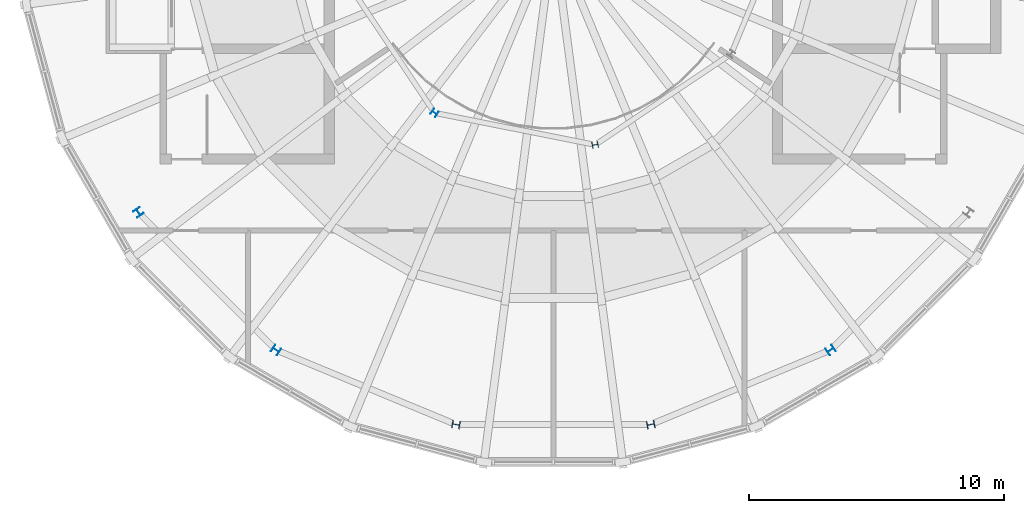
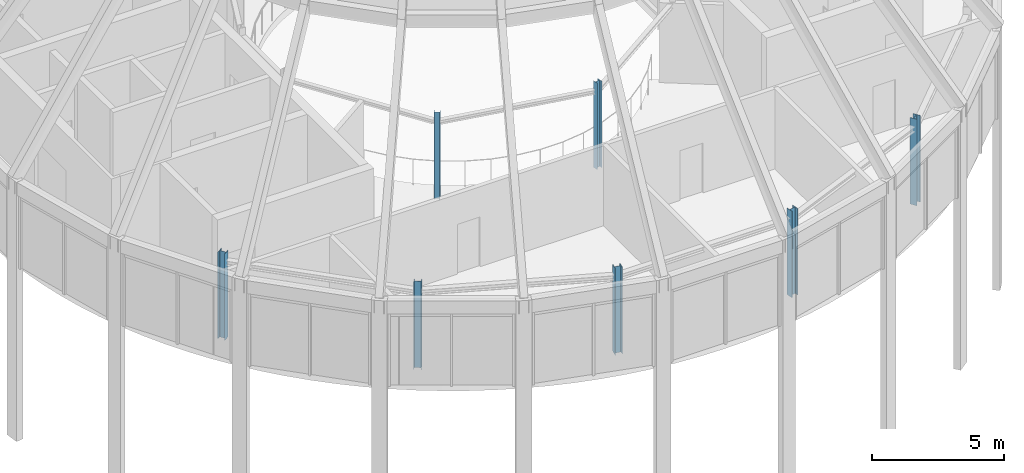
# One storey, part 1 of 16: 7 columns.
"""IFC4 building model written with IfcOpenShell, lengths in metres."""

from ifc_helpers import new_model, si_unit, direction, frame, origin, origin_2d, place, context, subcontext, project, spatial, i_section, extrude, material, material_profile, profile_set, type_object, element, save


model = new_model("IFC4")

# Units and contexts
model_context = context("Model", 3, precision=1e-05, world=origin(), true_north=direction((0.0, 1.0)))
body_context = subcontext(model_context, "Body", "Model", "MODEL_VIEW")
ifc_project = project(units=[si_unit("LENGTHUNIT", "METRE"), si_unit("AREAUNIT", "SQUARE_METRE"), si_unit("VOLUMEUNIT", "CUBIC_METRE"), si_unit("PLANEANGLEUNIT", "RADIAN"), si_unit("MASSUNIT", "GRAM", prefix="KILO")], contexts=[model_context])

# Site, building, storey
site_placement = place(None, origin())
site = spatial("IfcSite", under=ifc_project, at=site_placement, CompositionType="ELEMENT")
building_placement = place(site_placement, origin())
building = spatial("IfcBuilding", under=site, at=building_placement, Name="Maasbend Ring Residences", CompositionType="ELEMENT")
storey_placement = place(building_placement, frame((0.0, 0.0, 269.5)))
storey = spatial("IfcBuildingStorey", under=building, at=storey_placement, Name="L77", CompositionType="ELEMENT", Elevation=269.5)

# Columns
ifc_material_1 = material(Name="Steel S355J2", Category="steel")
ifc_material_profile_1 = material_profile(ifc_material_1, i_section(OverallWidth=0.239990234375, OverallDepth=0.22998046875, WebThickness=0.007568359375, FlangeThickness=0.011962890625, FilletRadius=0.02099609375, at=origin_2d()), Name="HEA 240")
ifc_profile_set_1 = profile_set([ifc_material_profile_1], Name="Steel S355J2")
column_type_1 = type_object("IfcColumnType", Name="Steel column HEA 240", PredefinedType="COLUMN", material=ifc_profile_set_1)
for number, where, z_axis, x_axis, name in (
    (1, (-4.666748046875, -6.984375, 0.0), (0.0, 0.0, 1.0), (-0.55557023302, -0.831469612303, 0.0), "Well ring column R11"),
    (2, (1.638916015625, -8.238525390625, 0.0), (0.0, 0.0, 1.0), (0.195090322016, -0.980785280403, 0.0), "Well ring column R13"),
):
    element("IfcColumn", number, at=place(storey_placement, frame(where, z_axis=z_axis, x_axis=x_axis)), inside=storey, type_object=column_type_1, Name=name, PredefinedType="COLUMN", context=body_context, shape_type="SweptSolid", body=[
        extrude(i_section(OverallWidth=0.239990234375, OverallDepth=0.22998046875, WebThickness=0.007568359375, FlangeThickness=0.011962890625, FilletRadius=0.02099609375, at=origin_2d()), origin(), (0.0, 0.0, 1.0), 4.0),
    ])
ifc_material_2 = material(Name="Steel S355J2", Category="steel")
ifc_material_profile_2 = material_profile(ifc_material_2, i_section(OverallWidth=0.300048828125, OverallDepth=0.300048828125, WebThickness=0.010986328125, FlangeThickness=0.01904296875, FilletRadius=0.027099609375, at=origin_2d()), Name="HEB 300")
ifc_profile_set_2 = profile_set([ifc_material_profile_2], Name="Steel S355J2")
column_type_2 = type_object("IfcColumnType", Name="Steel column HEB 300", PredefinedType="COLUMN", material=ifc_profile_set_2)
for number, where, z_axis, x_axis, name in (
    (3, (-16.296875, -10.88916015625, 0.0), (0.0, 0.0, 1.0), (-0.831469612303, -0.55557023302, 0.0), "Corridor ring column R10"),
    (4, (-10.88916015625, -16.296875, 0.0), (0.0, 0.0, 1.0), (-0.55557023302, -0.831469612303, 0.0), "Corridor ring column R11"),
    (5, (-3.82373046875, -19.223388671875, 0.0), (0.0, 0.0, 1.0), (-0.195090322016, -0.980785280403, 0.0), "Corridor ring column R12"),
    (6, (3.82373046875, -19.223388671875, 0.0), (0.0, 0.0, 1.0), (0.195090322016, -0.980785280403, 0.0), "Corridor ring column R13"),
    (7, (10.88916015625, -16.296875, 0.0), (0.0, 0.0, 1.0), (0.55557023302, -0.831469612303, 0.0), "Corridor ring column R14"),
):
    element("IfcColumn", number, at=place(storey_placement, frame(where, z_axis=z_axis, x_axis=x_axis)), inside=storey, type_object=column_type_2, Name=name, PredefinedType="COLUMN", context=body_context, shape_type="SweptSolid", body=[
        extrude(i_section(OverallWidth=0.300048828125, OverallDepth=0.300048828125, WebThickness=0.010986328125, FlangeThickness=0.01904296875, FilletRadius=0.027099609375, at=origin_2d()), origin(), (0.0, 0.0, 1.0), 4.0),
    ])

save(model, "model.ifc")
